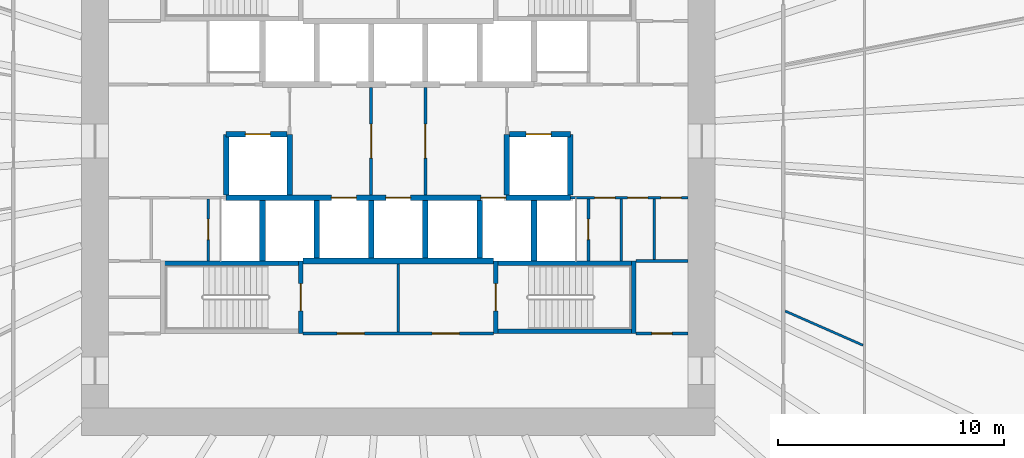
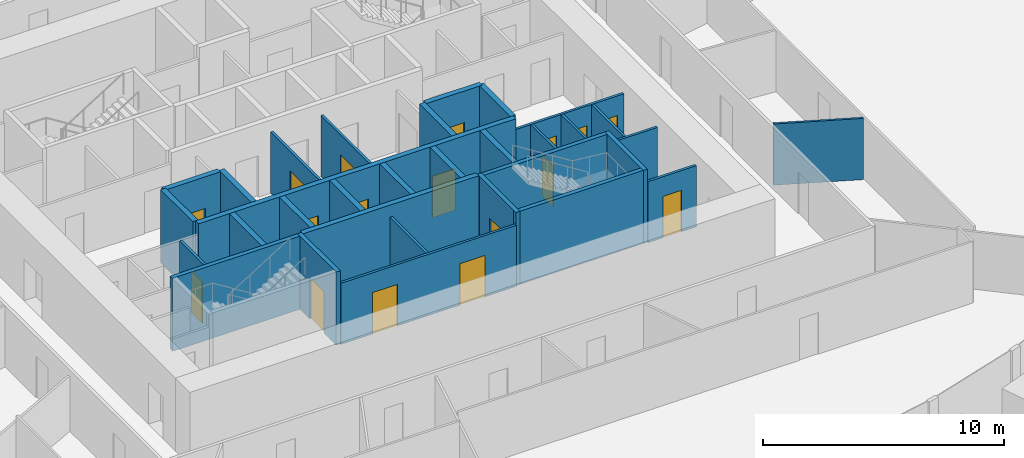
# One storey, part 7 of 11: 32 walls, 17 doors, 17 openings.
"""IFC4 building model written with IfcOpenShell, lengths in metres."""

from ifc_helpers import new_model, si_unit, direction, frame, frame_2d, origin, place, context, subcontext, project, spatial, rectangle, extrude, source, transform, mapped, material, layer, layer_set, type_object, element, fill, save


model = new_model("IFC4")

# Units and contexts
model_context = context("Model", 3, precision=1e-05, world=origin(), true_north=direction((0.0, 1.0)))
body_context = subcontext(model_context, "Body", "Model", "MODEL_VIEW")
ifc_project = project(units=[si_unit("LENGTHUNIT", "METRE"), si_unit("AREAUNIT", "SQUARE_METRE"), si_unit("VOLUMEUNIT", "CUBIC_METRE"), si_unit("PLANEANGLEUNIT", "RADIAN"), si_unit("MASSUNIT", "GRAM", prefix="KILO")], contexts=[model_context])

# Site, building, storey
site_placement = place(None, origin())
site = spatial("IfcSite", under=ifc_project, at=site_placement, CompositionType="ELEMENT")
building_placement = place(site_placement, origin())
building = spatial("IfcBuilding", under=site, at=building_placement, Name="Embergate Tower", CompositionType="ELEMENT")
storey_placement = place(building_placement, frame((0.0, 0.0, 62.0)))
storey = spatial("IfcBuildingStorey", under=building, at=storey_placement, Name="L11", CompositionType="ELEMENT", Elevation=62.0)

# Walls
ifc_material_1 = material(Name="Concrete C50", Category="concrete")
ifc_layer_1 = layer(ifc_material_1, 0.25)
ifc_layer_set_1 = layer_set([ifc_layer_1], Name="Concrete C50")
wall_type_1 = type_object("IfcWallType", Name="Hoistway wall reinforced concrete 250", PredefinedType="SHEAR", material=ifc_layer_set_1)
shared_shape_1 = source(origin(), body_context, "Body", "SweptSolid", [
    extrude(rectangle(XDim=2.675048828125, YDim=0.25, at=frame_2d((1.33740234375, 0.0))), origin(), (0.0, 0.0, 1.0), 3.699951171875),
])
for number, where, z_axis, x_axis, name in (
    (1, (-6.0, -5.300048828125, 0.0), (0.0, 0.0, 1.0), (0.0, 1.0, 0.0), "HW-1 wall"),
    (2, (6.0, -5.300048828125, 0.0), (0.0, 0.0, 1.0), (0.0, 1.0, 0.0), "HW-1 wall"),
    (3, (-4.800048828125, 0.300048828125, 0.0), (0.0, 0.0, 1.0), (0.0, -1.0, 0.0), "HW-1 wall"),
    (4, (4.800048828125, -2.375, 0.0), (0.0, 0.0, 1.0), (0.0, 1.0, 0.0), "HW-1 wall"),
):
    element("IfcWall", number, at=place(storey_placement, frame(where, z_axis=z_axis, x_axis=x_axis)), inside=storey, type_object=wall_type_1, Name=name, PredefinedType="SHEAR", context=body_context, shape_type="MappedRepresentation", body=[
        mapped(shared_shape_1, transform((0.0, 0.0, 0.0))),
    ])

# Wall, opening, door
wall_1_placement = place(storey_placement, frame((-4.925048828125, 0.300048828125, 0.0), z_axis=(0.0, 0.0, 1.0), x_axis=(-1.0, 0.0, 0.0)))
wall_1 = element("IfcWall", 5, at=wall_1_placement, inside=storey, type_object=wall_type_1, Name="HW-1 wall", PredefinedType="SHEAR", context=body_context, shape_type="MappedRepresentation", body=[
    mapped(shared_shape_1, transform((0.0, 0.0, 0.0))),
])
shared_shape_2 = source(origin(), body_context, "Body", "SweptSolid", [
    extrude(rectangle(XDim=1.10009765625, YDim=2.10009765625, at=frame_2d((0.550048828125, 1.050048828125))), frame((0.0, 0.135009765625, 0.0), z_axis=(0.0, -1.0, 0.0), x_axis=(1.0, 0.0, 0.0)), (0.0, 0.0, 1.0), 0.27001953125),
])
opening_1_placement = place(wall_1_placement, frame((0.72509765625, 0.0, 0.0)))
opening_1 = element("IfcOpeningElement", 6, at=opening_1_placement, cuts=wall_1, Name="Opening LD", PredefinedType="OPENING", context=body_context, shape_type="MappedRepresentation", body=[
    mapped(shared_shape_2, transform((0.0, 0.0, 0.0))),
])
ifc_material_2 = material(Name="Landing door sliding 1100")
door_type_1 = type_object("IfcDoorType", Name="Landing door sliding 1100", OperationType="SLIDING_TO_LEFT", PredefinedType="DOOR", material=ifc_material_2)
shared_shape_3 = source(origin(), body_context, "Body", "SweptSolid", [
    extrude(rectangle(XDim=1.10009765625, YDim=2.10009765625, at=frame_2d((0.550048828125, 1.050048828125))), frame((0.0, 0.02490234375, 0.0), z_axis=(0.0, -1.0, 0.0), x_axis=(1.0, 0.0, 0.0)), (0.0, 0.0, 1.0), 0.050048828125),
])
door_1_placement = place(opening_1_placement, origin())
door_1 = element("IfcDoor", 7, at=door_1_placement, inside=storey, type_object=door_type_1, Name="LD door", OperationType="SLIDING_TO_LEFT", OverallHeight=2.10009765625, OverallWidth=1.10009765625, PredefinedType="DOOR", context=body_context, shape_type="MappedRepresentation", body=[
    mapped(shared_shape_3, transform((0.0, 0.0, 0.0))),
])
fill(opening_1, door_1)

# Wall
wall_2_placement = place(storey_placement, frame((-7.60009765625, 0.300048828125, 0.0), z_axis=(0.0, 0.0, 1.0), x_axis=(0.0, -1.0, 0.0)))
element("IfcWall", 8, at=wall_2_placement, inside=storey, type_object=wall_type_1, Name="HW-1 wall", PredefinedType="SHEAR", context=body_context, shape_type="MappedRepresentation", body=[
    mapped(shared_shape_1, transform((0.0, 0.0, 0.0))),
])

# Wall, opening, door
wall_3_placement = place(storey_placement, frame((7.60009765625, 0.300048828125, 0.0), z_axis=(0.0, 0.0, 1.0), x_axis=(-1.0, 0.0, 0.0)))
wall_3 = element("IfcWall", 9, at=wall_3_placement, inside=storey, type_object=wall_type_1, Name="HW-1 wall", PredefinedType="SHEAR", context=body_context, shape_type="MappedRepresentation", body=[
    mapped(shared_shape_1, transform((0.0, 0.0, 0.0))),
])
opening_2_placement = place(wall_3_placement, frame((0.85009765625, 0.0, 0.0)))
opening_2 = element("IfcOpeningElement", 10, at=opening_2_placement, cuts=wall_3, Name="Opening LD", PredefinedType="OPENING", context=body_context, shape_type="MappedRepresentation", body=[
    mapped(shared_shape_2, transform((0.0, 0.0, 0.0))),
])
door_2_placement = place(opening_2_placement, origin())
door_2 = element("IfcDoor", 11, at=door_2_placement, inside=storey, type_object=door_type_1, Name="LD door", OperationType="SLIDING_TO_LEFT", OverallHeight=2.10009765625, OverallWidth=1.10009765625, PredefinedType="DOOR", context=body_context, shape_type="MappedRepresentation", body=[
    mapped(shared_shape_3, transform((0.0, 0.0, 0.0))),
])
fill(opening_2, door_2)

# Walls
wall_4_placement = place(storey_placement, frame((7.60009765625, -2.375, 0.0), z_axis=(0.0, 0.0, 1.0), x_axis=(0.0, 1.0, 0.0)))
element("IfcWall", 12, at=wall_4_placement, inside=storey, type_object=wall_type_1, Name="HW-1 wall", PredefinedType="SHEAR", context=body_context, shape_type="MappedRepresentation", body=[
    mapped(shared_shape_1, transform((0.0, 0.0, 0.0))),
])
ifc_layer_2 = layer(ifc_material_1, 0.199951171875)
ifc_layer_set_2 = layer_set([ifc_layer_2], Name="Concrete C50")
wall_type_2 = type_object("IfcWallType", Name="Stair enclosure wall reinforced concrete 250", PredefinedType="SHEAR", material=ifc_layer_set_2)
shared_shape_4 = source(origin(), body_context, "Body", "SweptSolid", [
    extrude(rectangle(XDim=6.300048828125, YDim=0.199951171875, at=frame_2d((3.14990234375, 0.0))), origin(), (0.0, 0.0, 1.0), 3.699951171875),
])
for number, where, z_axis, x_axis, name in (
    (13, (-10.5, -5.39990234375, 0.0), (0.0, 0.0, 1.0), (1.0, 0.0, 0.0), "SE-1 wall"),
    (14, (4.199951171875, -5.39990234375, 0.0), (0.0, 0.0, 1.0), (1.0, 0.0, 0.0), "SE-1 wall"),
    (15, (4.199951171875, -8.39990234375, 0.0), (0.0, 0.0, 1.0), (1.0, 0.0, 0.0), "SE-1 wall"),
):
    element("IfcWall", number, at=place(storey_placement, frame(where, z_axis=z_axis, x_axis=x_axis)), inside=storey, type_object=wall_type_2, Name=name, PredefinedType="SHEAR", context=body_context, shape_type="MappedRepresentation", body=[
        mapped(shared_shape_4, transform((0.0, 0.0, 0.0))),
    ])

# Wall, opening, door
ifc_material_3 = material(Name="Core partition blockwork 120")
ifc_layer_3 = layer(ifc_material_3, 0.1201171875)
ifc_layer_set_3 = layer_set([ifc_layer_3], Name="Core partition blockwork 120")
wall_type_3 = type_object("IfcWallType", Name="Core partition blockwork 120", PredefinedType="PARTITIONING", material=ifc_layer_set_3)
shared_shape_5 = source(origin(), body_context, "Body", "SweptSolid", [
    extrude(rectangle(XDim=2.739990234375, YDim=0.1201171875, at=frame_2d((1.3701171875, 0.0))), origin(), (0.0, 0.0, 1.0), 3.10009765625),
])
wall_5_placement = place(storey_placement, frame((-8.39990234375, -2.56005859375, 0.0), z_axis=(0.0, 0.0, 1.0), x_axis=(0.0, -1.0, 0.0)))
wall_5 = element("IfcWall", 16, at=wall_5_placement, inside=storey, type_object=wall_type_3, Name="IP-3 wall", PredefinedType="PARTITIONING", context=body_context, shape_type="MappedRepresentation", body=[
    mapped(shared_shape_5, transform((0.0, 0.0, 0.0))),
])
shared_shape_6 = source(origin(), body_context, "Body", "SweptSolid", [
    extrude(rectangle(XDim=0.89990234375, YDim=2.10009765625, at=frame_2d((0.449951171875, 1.050048828125))), frame((0.0, 0.070068359375, 0.0), z_axis=(0.0, -1.0, 0.0), x_axis=(1.0, 0.0, 0.0)), (0.0, 0.0, 1.0), 0.14013671875),
])
opening_3_placement = place(wall_5_placement, frame((0.889892578125, 0.0, 0.0)))
opening_3 = element("IfcOpeningElement", 17, at=opening_3_placement, cuts=wall_5, Name="Opening ID-1", PredefinedType="OPENING", context=body_context, shape_type="MappedRepresentation", body=[
    mapped(shared_shape_6, transform((0.0, 0.0, 0.0))),
])
ifc_material_4 = material(Name="Interior door 900")
door_type_2 = type_object("IfcDoorType", Name="Interior door 900", OperationType="SINGLE_SWING_LEFT", PredefinedType="DOOR", material=ifc_material_4)
shared_shape_7 = source(origin(), body_context, "Body", "SweptSolid", [
    extrude(rectangle(XDim=0.89990234375, YDim=2.10009765625, at=frame_2d((0.449951171875, 1.050048828125))), frame((0.0, 0.02490234375, 0.0), z_axis=(0.0, -1.0, 0.0), x_axis=(1.0, 0.0, 0.0)), (0.0, 0.0, 1.0), 0.050048828125),
])
door_3_placement = place(opening_3_placement, origin())
door_3 = element("IfcDoor", 18, at=door_3_placement, inside=storey, type_object=door_type_2, Name="ID-1 door", OperationType="SINGLE_SWING_LEFT", OverallHeight=2.10009765625, OverallWidth=0.89990234375, PredefinedType="DOOR", context=body_context, shape_type="MappedRepresentation", body=[
    mapped(shared_shape_7, transform((0.0, 0.0, 0.0))),
])
fill(opening_3, door_3)

wall_6_placement = place(storey_placement, frame((8.39990234375, -5.300048828125, 0.0), z_axis=(0.0, 0.0, 1.0), x_axis=(0.0, 1.0, 0.0)))
wall_6 = element("IfcWall", 19, at=wall_6_placement, inside=storey, type_object=wall_type_3, Name="IP-3 wall", PredefinedType="PARTITIONING", context=body_context, shape_type="MappedRepresentation", body=[
    mapped(shared_shape_5, transform((0.0, 0.0, 0.0))),
])
opening_4_placement = place(wall_6_placement, frame((0.949951171875, 0.0, 0.0)))
opening_4 = element("IfcOpeningElement", 20, at=opening_4_placement, cuts=wall_6, Name="Opening ID-1", PredefinedType="OPENING", context=body_context, shape_type="MappedRepresentation", body=[
    mapped(shared_shape_6, transform((0.0, 0.0, 0.0))),
])
door_4_placement = place(opening_4_placement, origin())
door_4 = element("IfcDoor", 21, at=door_4_placement, inside=storey, type_object=door_type_2, Name="ID-1 door", OperationType="SINGLE_SWING_LEFT", OverallHeight=2.10009765625, OverallWidth=0.89990234375, PredefinedType="DOOR", context=body_context, shape_type="MappedRepresentation", body=[
    mapped(shared_shape_7, transform((0.0, 0.0, 0.0))),
])
fill(opening_4, door_4)

# Walls
wall_7_placement = place(storey_placement, frame((9.85205078125, -5.300048828125, 0.0), z_axis=(0.0, 0.0, 1.0), x_axis=(0.0, 1.0, 0.0)))
element("IfcWall", 22, at=wall_7_placement, inside=storey, type_object=wall_type_3, Name="IP-3 wall", PredefinedType="PARTITIONING", context=body_context, shape_type="MappedRepresentation", body=[
    mapped(shared_shape_5, transform((0.0, 0.0, 0.0))),
])
shared_shape_8 = source(origin(), body_context, "Body", "SweptSolid", [
    extrude(rectangle(XDim=2.550048828125, YDim=0.25, at=frame_2d((1.27490234375, 0.0))), origin(), (0.0, 0.0, 1.0), 3.699951171875),
])
for number, where, z_axis, x_axis, name in (
    (23, (-3.60009765625, -5.175048828125, 0.0), (0.0, 0.0, 1.0), (0.0, 1.0, 0.0), "HW-1 wall"),
    (24, (-1.199951171875, -5.175048828125, 0.0), (0.0, 0.0, 1.0), (0.0, 1.0, 0.0), "HW-1 wall"),
    (25, (1.199951171875, -5.175048828125, 0.0), (0.0, 0.0, 1.0), (0.0, 1.0, 0.0), "HW-1 wall"),
    (26, (3.60009765625, -5.175048828125, 0.0), (0.0, 0.0, 1.0), (0.0, 1.0, 0.0), "HW-1 wall"),
):
    element("IfcWall", number, at=place(storey_placement, frame(where, z_axis=z_axis, x_axis=x_axis)), inside=storey, type_object=wall_type_1, Name=name, PredefinedType="SHEAR", context=body_context, shape_type="MappedRepresentation", body=[
        mapped(shared_shape_8, transform((0.0, 0.0, 0.0))),
    ])
shared_shape_9 = source(origin(), body_context, "Body", "SweptSolid", [
    extrude(rectangle(XDim=8.39990234375, YDim=0.25, at=frame_2d((4.199951171875, 0.0))), origin(), (0.0, 0.0, 1.0), 3.699951171875),
])
wall_8_placement = place(storey_placement, frame((-4.199951171875, -5.300048828125, 0.0), z_axis=(0.0, 0.0, 1.0), x_axis=(1.0, 0.0, 0.0)))
element("IfcWall", 27, at=wall_8_placement, inside=storey, type_object=wall_type_1, Name="HW-1 wall", PredefinedType="SHEAR", context=body_context, shape_type="MappedRepresentation", body=[
    mapped(shared_shape_9, transform((0.0, 0.0, 0.0))),
])

# Wall, openings, doors
shared_shape_10 = source(origin(), body_context, "Body", "SweptSolid", [
    extrude(rectangle(XDim=15.2001953125, YDim=0.25, at=frame_2d((7.60009765625, 0.0))), origin(), (0.0, 0.0, 1.0), 3.699951171875),
])
wall_9_placement = place(storey_placement, frame((7.60009765625, -2.5, 0.0), z_axis=(0.0, 0.0, 1.0), x_axis=(-1.0, 0.0, 0.0)))
wall_9 = element("IfcWall", 28, at=wall_9_placement, inside=storey, type_object=wall_type_1, Name="HW-1 wall", PredefinedType="SHEAR", context=body_context, shape_type="MappedRepresentation", body=[
    mapped(shared_shape_10, transform((0.0, 0.0, 0.0))),
])
opening_5_placement = place(wall_9_placement, frame((9.449951171875, 0.0, 0.0)))
opening_5 = element("IfcOpeningElement", 29, at=opening_5_placement, cuts=wall_9, Name="Opening LD", PredefinedType="OPENING", context=body_context, shape_type="MappedRepresentation", body=[
    mapped(shared_shape_2, transform((0.0, 0.0, 0.0))),
])
opening_6_placement = place(wall_9_placement, frame((7.050048828125, 0.0, 0.0)))
opening_6 = element("IfcOpeningElement", 30, at=opening_6_placement, cuts=wall_9, Name="Opening LD", PredefinedType="OPENING", context=body_context, shape_type="MappedRepresentation", body=[
    mapped(shared_shape_2, transform((0.0, 0.0, 0.0))),
])
opening_7_placement = place(wall_9_placement, frame((2.85009765625, 0.0, 0.0)))
opening_7 = element("IfcOpeningElement", 31, at=opening_7_placement, cuts=wall_9, Name="Opening LD", PredefinedType="OPENING", context=body_context, shape_type="MappedRepresentation", body=[
    mapped(shared_shape_2, transform((0.0, 0.0, 0.0))),
])
door_5_placement = place(opening_5_placement, origin())
door_5 = element("IfcDoor", 32, at=door_5_placement, inside=storey, type_object=door_type_1, Name="LD door", OperationType="SLIDING_TO_RIGHT", OverallHeight=2.10009765625, OverallWidth=1.10009765625, PredefinedType="DOOR", context=body_context, shape_type="MappedRepresentation", body=[
    mapped(shared_shape_3, transform((0.0, 0.0, 0.0))),
])
fill(opening_5, door_5)
door_6_placement = place(opening_6_placement, origin())
door_6 = element("IfcDoor", 33, at=door_6_placement, inside=storey, type_object=door_type_1, Name="LD door", OperationType="SLIDING_TO_RIGHT", OverallHeight=2.10009765625, OverallWidth=1.10009765625, PredefinedType="DOOR", context=body_context, shape_type="MappedRepresentation", body=[
    mapped(shared_shape_3, transform((0.0, 0.0, 0.0))),
])
fill(opening_6, door_6)
door_7_placement = place(opening_7_placement, origin())
door_7 = element("IfcDoor", 34, at=door_7_placement, inside=storey, type_object=door_type_1, Name="LD door", OperationType="SLIDING_TO_RIGHT", OverallHeight=2.10009765625, OverallWidth=1.10009765625, PredefinedType="DOOR", context=body_context, shape_type="MappedRepresentation", body=[
    mapped(shared_shape_3, transform((0.0, 0.0, 0.0))),
])
fill(opening_7, door_7)

shared_shape_11 = source(origin(), body_context, "Body", "SweptSolid", [
    extrude(rectangle(XDim=5.199951171875, YDim=0.1201171875, at=frame_2d((2.60009765625, 0.0))), origin(), (0.0, 0.0, 1.0), 3.10009765625),
])
wall_10_placement = place(storey_placement, frame((12.800048828125, -2.5, 0.0), z_axis=(0.0, 0.0, 1.0), x_axis=(-1.0, 0.0, 0.0)))
wall_10 = element("IfcWall", 35, at=wall_10_placement, inside=storey, type_object=wall_type_3, Name="IP-3 wall", PredefinedType="PARTITIONING", context=body_context, shape_type="MappedRepresentation", body=[
    mapped(shared_shape_11, transform((0.0, 0.0, 0.0))),
])
opening_8_placement = place(wall_10_placement, frame((3.22412109375, 0.0, 0.0)))
opening_8 = element("IfcOpeningElement", 36, at=opening_8_placement, cuts=wall_10, Name="Opening ID-1", PredefinedType="OPENING", context=body_context, shape_type="MappedRepresentation", body=[
    mapped(shared_shape_6, transform((0.0, 0.0, 0.0))),
])
opening_9_placement = place(wall_10_placement, frame((1.77197265625, 0.0, 0.0)))
opening_9 = element("IfcOpeningElement", 37, at=opening_9_placement, cuts=wall_10, Name="Opening ID-1", PredefinedType="OPENING", context=body_context, shape_type="MappedRepresentation", body=[
    mapped(shared_shape_6, transform((0.0, 0.0, 0.0))),
])
opening_10_placement = place(wall_10_placement, frame((0.298095703125, 0.0, 0.0)))
opening_10 = element("IfcOpeningElement", 38, at=opening_10_placement, cuts=wall_10, Name="Opening ID-1", PredefinedType="OPENING", context=body_context, shape_type="MappedRepresentation", body=[
    mapped(shared_shape_6, transform((0.0, 0.0, 0.0))),
])
door_8_placement = place(opening_8_placement, origin())
door_8 = element("IfcDoor", 39, at=door_8_placement, inside=storey, type_object=door_type_2, Name="ID-1 door", OperationType="SINGLE_SWING_LEFT", OverallHeight=2.10009765625, OverallWidth=0.89990234375, PredefinedType="DOOR", context=body_context, shape_type="MappedRepresentation", body=[
    mapped(shared_shape_7, transform((0.0, 0.0, 0.0))),
])
fill(opening_8, door_8)
door_9_placement = place(opening_9_placement, origin())
door_9 = element("IfcDoor", 40, at=door_9_placement, inside=storey, type_object=door_type_2, Name="ID-1 door", OperationType="SINGLE_SWING_LEFT", OverallHeight=2.10009765625, OverallWidth=0.89990234375, PredefinedType="DOOR", context=body_context, shape_type="MappedRepresentation", body=[
    mapped(shared_shape_7, transform((0.0, 0.0, 0.0))),
])
fill(opening_9, door_9)
door_10_placement = place(opening_10_placement, origin())
door_10 = element("IfcDoor", 41, at=door_10_placement, inside=storey, type_object=door_type_2, Name="ID-1 door", OperationType="SINGLE_SWING_LEFT", OverallHeight=2.10009765625, OverallWidth=0.89990234375, PredefinedType="DOOR", context=body_context, shape_type="MappedRepresentation", body=[
    mapped(shared_shape_7, transform((0.0, 0.0, 0.0))),
])
fill(opening_10, door_10)

# Wall, opening, door
shared_shape_12 = source(origin(), body_context, "Body", "SweptSolid", [
    extrude(rectangle(XDim=4.75, YDim=0.1201171875, at=frame_2d((2.375, 0.0))), origin(), (0.0, 0.0, 1.0), 3.10009765625),
])
wall_11_placement = place(storey_placement, frame((-1.199951171875, -2.375, 0.0), z_axis=(0.0, 0.0, 1.0), x_axis=(0.0, 1.0, 0.0)))
wall_11 = element("IfcWall", 42, at=wall_11_placement, inside=storey, type_object=wall_type_3, Name="IP-3 wall", PredefinedType="PARTITIONING", context=body_context, shape_type="MappedRepresentation", body=[
    mapped(shared_shape_12, transform((0.0, 0.0, 0.0))),
])
shared_shape_13 = source(origin(), body_context, "Body", "SweptSolid", [
    extrude(rectangle(XDim=1.5, YDim=2.10009765625, at=frame_2d((0.75, 1.050048828125))), frame((0.0, 0.070068359375, 0.0), z_axis=(0.0, -1.0, 0.0), x_axis=(1.0, 0.0, 0.0)), (0.0, 0.0, 1.0), 0.14013671875),
])
opening_11_placement = place(wall_11_placement, frame((1.625, 0.0, 0.0)))
opening_11 = element("IfcOpeningElement", 43, at=opening_11_placement, cuts=wall_11, Name="Opening IF-3", PredefinedType="OPENING", context=body_context, shape_type="MappedRepresentation", body=[
    mapped(shared_shape_13, transform((0.0, 0.0, 0.0))),
])
ifc_material_5 = material(Name="Lobby fire door pair 1500")
door_type_3 = type_object("IfcDoorType", Name="Lobby fire door pair 1500", OperationType="DOUBLE_DOOR_SINGLE_SWING", PredefinedType="DOOR", material=ifc_material_5)
shared_shape_14 = source(origin(), body_context, "Body", "SweptSolid", [
    extrude(rectangle(XDim=1.5, YDim=2.10009765625, at=frame_2d((0.75, 1.050048828125))), frame((0.0, 0.02490234375, 0.0), z_axis=(0.0, -1.0, 0.0), x_axis=(1.0, 0.0, 0.0)), (0.0, 0.0, 1.0), 0.050048828125),
])
door_11_placement = place(opening_11_placement, origin())
door_11 = element("IfcDoor", 44, at=door_11_placement, inside=storey, type_object=door_type_3, Name="IF-3 door", OperationType="DOUBLE_DOOR_SINGLE_SWING", OverallHeight=2.10009765625, OverallWidth=1.5, PredefinedType="DOOR", context=body_context, shape_type="MappedRepresentation", body=[
    mapped(shared_shape_14, transform((0.0, 0.0, 0.0))),
])
fill(opening_11, door_11)

wall_12_placement = place(storey_placement, frame((1.199951171875, -2.375, 0.0), z_axis=(0.0, 0.0, 1.0), x_axis=(0.0, 1.0, 0.0)))
wall_12 = element("IfcWall", 45, at=wall_12_placement, inside=storey, type_object=wall_type_3, Name="IP-3 wall", PredefinedType="PARTITIONING", context=body_context, shape_type="MappedRepresentation", body=[
    mapped(shared_shape_12, transform((0.0, 0.0, 0.0))),
])
opening_12_placement = place(wall_12_placement, frame((1.625, 0.0, 0.0)))
opening_12 = element("IfcOpeningElement", 46, at=opening_12_placement, cuts=wall_12, Name="Opening IF-3", PredefinedType="OPENING", context=body_context, shape_type="MappedRepresentation", body=[
    mapped(shared_shape_13, transform((0.0, 0.0, 0.0))),
])
door_12_placement = place(opening_12_placement, origin())
door_12 = element("IfcDoor", 47, at=door_12_placement, inside=storey, type_object=door_type_3, Name="IF-3 door", OperationType="DOUBLE_DOOR_SINGLE_SWING", OverallHeight=2.10009765625, OverallWidth=1.5, PredefinedType="DOOR", context=body_context, shape_type="MappedRepresentation", body=[
    mapped(shared_shape_14, transform((0.0, 0.0, 0.0))),
])
fill(opening_12, door_12)

shared_shape_15 = source(origin(), body_context, "Body", "SweptSolid", [
    extrude(rectangle(XDim=3.199951171875, YDim=0.199951171875, at=frame_2d((1.60009765625, 0.0))), origin(), (0.0, 0.0, 1.0), 3.699951171875),
])
wall_13_placement = place(storey_placement, frame((-4.300048828125, -8.5, 0.0), z_axis=(0.0, 0.0, 1.0), x_axis=(0.0, 1.0, 0.0)))
wall_13 = element("IfcWall", 48, at=wall_13_placement, inside=storey, type_object=wall_type_2, Name="SE-1 wall", PredefinedType="SHEAR", context=body_context, shape_type="MappedRepresentation", body=[
    mapped(shared_shape_15, transform((0.0, 0.0, 0.0))),
])
shared_shape_16 = source(origin(), body_context, "Body", "SweptSolid", [
    extrude(rectangle(XDim=1.199951171875, YDim=2.10009765625, at=frame_2d((0.60009765625, 1.050048828125))), frame((0.0, 0.10986328125, 0.0), z_axis=(0.0, -1.0, 0.0), x_axis=(1.0, 0.0, 0.0)), (0.0, 0.0, 1.0), 0.219970703125),
])
opening_13_placement = place(wall_13_placement, frame((1.0, 0.0, 0.0)))
opening_13 = element("IfcOpeningElement", 49, at=opening_13_placement, cuts=wall_13, Name="Opening IF-2", PredefinedType="OPENING", context=body_context, shape_type="MappedRepresentation", body=[
    mapped(shared_shape_16, transform((0.0, 0.0, 0.0))),
])
ifc_material_6 = material(Name="Stair enclosure door 1200")
door_type_4 = type_object("IfcDoorType", Name="Stair enclosure door 1200", OperationType="SINGLE_SWING_LEFT", PredefinedType="DOOR", material=ifc_material_6)
shared_shape_17 = source(origin(), body_context, "Body", "SweptSolid", [
    extrude(rectangle(XDim=1.199951171875, YDim=2.10009765625, at=frame_2d((0.60009765625, 1.050048828125))), frame((0.0, 0.02490234375, 0.0), z_axis=(0.0, -1.0, 0.0), x_axis=(1.0, 0.0, 0.0)), (0.0, 0.0, 1.0), 0.050048828125),
])
door_13_placement = place(opening_13_placement, origin())
door_13 = element("IfcDoor", 50, at=door_13_placement, inside=storey, type_object=door_type_4, Name="IF-2 door", OperationType="SINGLE_SWING_LEFT", OverallHeight=2.10009765625, OverallWidth=1.199951171875, PredefinedType="DOOR", context=body_context, shape_type="MappedRepresentation", body=[
    mapped(shared_shape_17, transform((0.0, 0.0, 0.0))),
])
fill(opening_13, door_13)

wall_14_placement = place(storey_placement, frame((4.300048828125, -5.300048828125, 0.0), z_axis=(0.0, 0.0, 1.0), x_axis=(0.0, -1.0, 0.0)))
wall_14 = element("IfcWall", 51, at=wall_14_placement, inside=storey, type_object=wall_type_2, Name="SE-1 wall", PredefinedType="SHEAR", context=body_context, shape_type="MappedRepresentation", body=[
    mapped(shared_shape_15, transform((0.0, 0.0, 0.0))),
])
opening_14_placement = place(wall_14_placement, frame((1.0, 0.0, 0.0)))
opening_14 = element("IfcOpeningElement", 52, at=opening_14_placement, cuts=wall_14, Name="Opening IF-2", PredefinedType="OPENING", context=body_context, shape_type="MappedRepresentation", body=[
    mapped(shared_shape_16, transform((0.0, 0.0, 0.0))),
])
door_14_placement = place(opening_14_placement, origin())
door_14 = element("IfcDoor", 53, at=door_14_placement, inside=storey, type_object=door_type_4, Name="IF-2 door", OperationType="SINGLE_SWING_LEFT", OverallHeight=2.10009765625, OverallWidth=1.199951171875, PredefinedType="DOOR", context=body_context, shape_type="MappedRepresentation", body=[
    mapped(shared_shape_17, transform((0.0, 0.0, 0.0))),
])
fill(opening_14, door_14)

# Walls
wall_15_placement = place(storey_placement, frame((10.39990234375, -8.5, 0.0), z_axis=(0.0, 0.0, 1.0), x_axis=(0.0, 1.0, 0.0)))
element("IfcWall", 54, at=wall_15_placement, inside=storey, type_object=wall_type_2, Name="SE-1 wall", PredefinedType="SHEAR", context=body_context, shape_type="MappedRepresentation", body=[
    mapped(shared_shape_15, transform((0.0, 0.0, 0.0))),
])
shared_shape_18 = source(origin(), body_context, "Body", "SweptSolid", [
    extrude(rectangle(XDim=3.014892578125, YDim=0.1201171875, at=frame_2d((1.50732421875, 0.0))), origin(), (0.0, 0.0, 1.0), 3.10009765625),
])
wall_16_placement = place(storey_placement, frame((0.0, -8.43994140625, 0.0), z_axis=(0.0, 0.0, 1.0), x_axis=(0.0, 1.0, 0.0)))
element("IfcWall", 55, at=wall_16_placement, inside=storey, type_object=wall_type_3, Name="IP-3 wall", PredefinedType="PARTITIONING", context=body_context, shape_type="MappedRepresentation", body=[
    mapped(shared_shape_18, transform((0.0, 0.0, 0.0))),
])

# Wall, openings, doors
shared_shape_19 = source(origin(), body_context, "Body", "SweptSolid", [
    extrude(rectangle(XDim=8.39990234375, YDim=0.1201171875, at=frame_2d((4.199951171875, 0.0))), origin(), (0.0, 0.0, 1.0), 3.10009765625),
])
wall_17_placement = place(storey_placement, frame((-4.199951171875, -8.5, 0.0), z_axis=(0.0, 0.0, 1.0), x_axis=(1.0, 0.0, 0.0)))
wall_17 = element("IfcWall", 56, at=wall_17_placement, inside=storey, type_object=wall_type_3, Name="IP-3 wall", PredefinedType="PARTITIONING", context=body_context, shape_type="MappedRepresentation", body=[
    mapped(shared_shape_19, transform((0.0, 0.0, 0.0))),
])
shared_shape_20 = source(origin(), body_context, "Body", "SweptSolid", [
    extrude(rectangle(XDim=1.199951171875, YDim=2.10009765625, at=frame_2d((0.60009765625, 1.050048828125))), frame((0.0, 0.070068359375, 0.0), z_axis=(0.0, -1.0, 0.0), x_axis=(1.0, 0.0, 0.0)), (0.0, 0.0, 1.0), 0.14013671875),
])
opening_15_placement = place(wall_17_placement, frame((1.5, 0.0, 0.0)))
opening_15 = element("IfcOpeningElement", 57, at=opening_15_placement, cuts=wall_17, Name="Opening IF-3f", PredefinedType="OPENING", context=body_context, shape_type="MappedRepresentation", body=[
    mapped(shared_shape_20, transform((0.0, 0.0, 0.0))),
])
opening_16_placement = place(wall_17_placement, frame((5.699951171875, 0.0, 0.0)))
opening_16 = element("IfcOpeningElement", 58, at=opening_16_placement, cuts=wall_17, Name="Opening IF-3f", PredefinedType="OPENING", context=body_context, shape_type="MappedRepresentation", body=[
    mapped(shared_shape_20, transform((0.0, 0.0, 0.0))),
])
ifc_material_7 = material(Name="Lobby fire door pair 1200")
door_type_5 = type_object("IfcDoorType", Name="Lobby fire door pair 1200", OperationType="DOUBLE_DOOR_SINGLE_SWING", PredefinedType="DOOR", material=ifc_material_7)
door_15_placement = place(opening_15_placement, origin())
door_15 = element("IfcDoor", 59, at=door_15_placement, inside=storey, type_object=door_type_5, Name="IF-3 door", OperationType="DOUBLE_DOOR_SINGLE_SWING", OverallHeight=2.10009765625, OverallWidth=1.199951171875, PredefinedType="DOOR", context=body_context, shape_type="MappedRepresentation", body=[
    mapped(shared_shape_17, transform((0.0, 0.0, 0.0))),
])
fill(opening_15, door_15)
door_16_placement = place(opening_16_placement, origin())
door_16 = element("IfcDoor", 60, at=door_16_placement, inside=storey, type_object=door_type_5, Name="IF-3 door", OperationType="DOUBLE_DOOR_SINGLE_SWING", OverallHeight=2.10009765625, OverallWidth=1.199951171875, PredefinedType="DOOR", context=body_context, shape_type="MappedRepresentation", body=[
    mapped(shared_shape_17, transform((0.0, 0.0, 0.0))),
])
fill(opening_16, door_16)

# Wall, opening, door
shared_shape_21 = source(origin(), body_context, "Body", "SweptSolid", [
    extrude(rectangle(XDim=2.300048828125, YDim=0.1201171875, at=frame_2d((1.14990234375, 0.0))), origin(), (0.0, 0.0, 1.0), 3.10009765625),
])
wall_18_placement = place(storey_placement, frame((12.800048828125, -8.5, 0.0), z_axis=(0.0, 0.0, 1.0), x_axis=(-1.0, 0.0, 0.0)))
wall_18 = element("IfcWall", 61, at=wall_18_placement, inside=storey, type_object=wall_type_3, Name="IP-3 wall", PredefinedType="PARTITIONING", context=body_context, shape_type="MappedRepresentation", body=[
    mapped(shared_shape_21, transform((0.0, 0.0, 0.0))),
])
opening_17_placement = place(wall_18_placement, frame((0.699951171875, 0.0, 0.0)))
opening_17 = element("IfcOpeningElement", 62, at=opening_17_placement, cuts=wall_18, Name="Opening ID-1", PredefinedType="OPENING", context=body_context, shape_type="MappedRepresentation", body=[
    mapped(shared_shape_6, transform((0.0, 0.0, 0.0))),
])
door_17_placement = place(opening_17_placement, origin())
door_17 = element("IfcDoor", 63, at=door_17_placement, inside=storey, type_object=door_type_2, Name="ID-1 door", OperationType="SINGLE_SWING_LEFT", OverallHeight=2.10009765625, OverallWidth=0.89990234375, PredefinedType="DOOR", context=body_context, shape_type="MappedRepresentation", body=[
    mapped(shared_shape_7, transform((0.0, 0.0, 0.0))),
])
fill(opening_17, door_17)

# Walls
wall_19_placement = place(storey_placement, frame((10.5, -5.300048828125, 0.0), z_axis=(0.0, 0.0, 1.0), x_axis=(1.0, 0.0, 0.0)))
element("IfcWall", 64, at=wall_19_placement, inside=storey, type_object=wall_type_3, Name="IP-3 wall", PredefinedType="PARTITIONING", context=body_context, shape_type="MappedRepresentation", body=[
    mapped(shared_shape_21, transform((0.0, 0.0, 0.0))),
])
shared_shape_22 = source(origin(), body_context, "Body", "SweptSolid", [
    extrude(rectangle(XDim=2.679931640625, YDim=0.1201171875, at=frame_2d((1.33984375, 0.0))), origin(), (0.0, 0.0, 1.0), 3.10009765625),
])
wall_20_placement = place(storey_placement, frame((11.303955078125, -5.239990234375, 0.0), z_axis=(0.0, 0.0, 1.0), x_axis=(0.0, 1.0, 0.0)))
element("IfcWall", 65, at=wall_20_placement, inside=storey, type_object=wall_type_3, Name="IP-3 wall", PredefinedType="PARTITIONING", context=body_context, shape_type="MappedRepresentation", body=[
    mapped(shared_shape_22, transform((0.0, 0.0, 0.0))),
])
ifc_material_8 = material(Name="Partition dry-lined 100")
ifc_layer_4 = layer(ifc_material_8, 0.10009765625)
ifc_layer_set_4 = layer_set([ifc_layer_4], Name="Partition dry-lined 100")
wall_type_4 = type_object("IfcWallType", Name="Partition dry-lined 100", PredefinedType="PARTITIONING", material=ifc_layer_set_4)
shared_shape_23 = source(origin(), body_context, "Body", "SweptSolid", [
    extrude(rectangle(XDim=3.752197265625, YDim=0.10009765625, at=frame_2d((1.8759765625, 0.0))), origin(), (0.0, 0.0, 1.0), 3.10009765625),
])
wall_21_placement = place(storey_placement, frame((17.094970703125, -7.510009765625, 0.0), z_axis=(0.0, 0.0, 1.0), x_axis=(0.915454089735, -0.402422426795, 0.0)))
element("IfcWall", 66, at=wall_21_placement, inside=storey, type_object=wall_type_4, Name="IP-1 wall", PredefinedType="PARTITIONING", context=body_context, shape_type="MappedRepresentation", body=[
    mapped(shared_shape_23, transform((0.0, 0.0, 0.0))),
])

save(model, "model.ifc")
